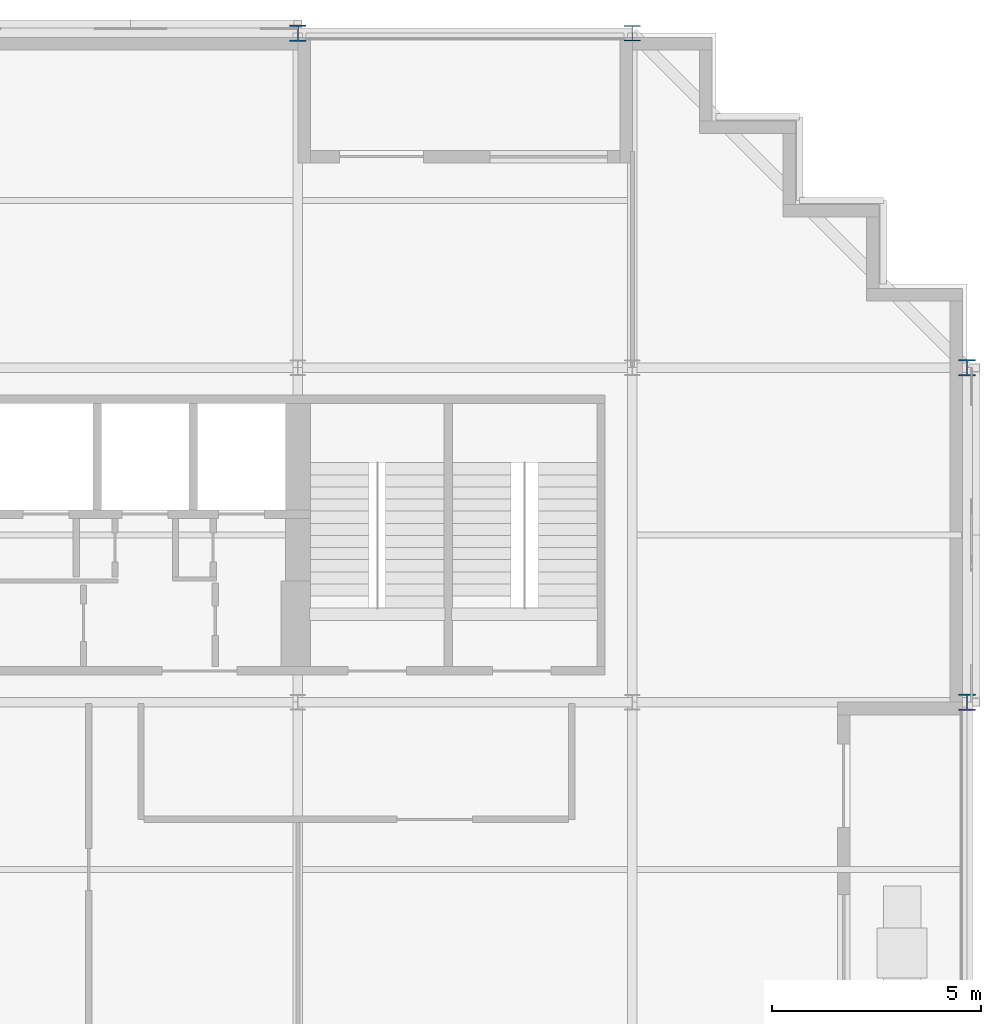
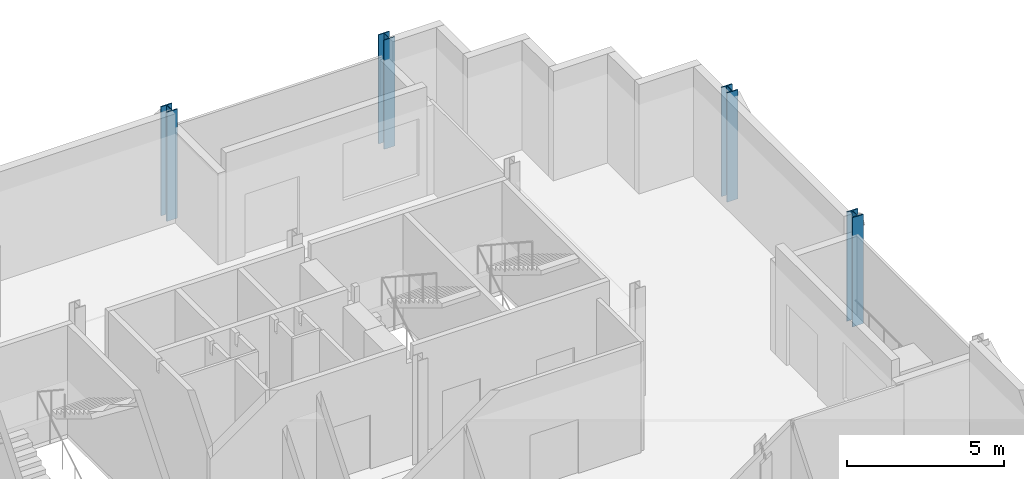
# One storey, part 3 of 15: 4 columns.
"""IFC4 building model written with IfcOpenShell, lengths in metres."""

from ifc_helpers import new_model, si_unit, direction, frame, origin, origin_2d, place, context, subcontext, project, spatial, i_section, extrude, material, material_profile, profile_set, type_object, element, save


model = new_model("IFC4")

# Units and contexts
model_context = context("Model", 3, precision=1e-05, world=origin(), true_north=direction((0.0, 1.0)))
body_context = subcontext(model_context, "Body", "Model", "MODEL_VIEW")
ifc_project = project(units=[si_unit("LENGTHUNIT", "METRE"), si_unit("AREAUNIT", "SQUARE_METRE"), si_unit("VOLUMEUNIT", "CUBIC_METRE"), si_unit("PLANEANGLEUNIT", "RADIAN"), si_unit("MASSUNIT", "GRAM", prefix="KILO")], contexts=[model_context])

# Site, building, storey
site_placement = place(None, origin())
site = spatial("IfcSite", under=ifc_project, at=site_placement, CompositionType="ELEMENT")
building_placement = place(site_placement, origin())
building = spatial("IfcBuilding", under=site, at=building_placement, Name="Immortelle Media Tower", CompositionType="ELEMENT")
storey_placement = place(building_placement, frame((0.0, 0.0, 83.199951171875)))
storey = spatial("IfcBuildingStorey", under=building, at=storey_placement, Name="L15", CompositionType="ELEMENT", Elevation=83.199951171875)

# Columns
ifc_material = material(Name="Steel ASTM A992 Gr 50", Category="steel")
ifc_material_profile_1 = material_profile(ifc_material, i_section(OverallWidth=0.39404296875, OverallDepth=0.3759765625, WebThickness=0.01708984375, FlangeThickness=0.028076171875, at=origin_2d()), Name="W14x145")
ifc_profile_set_1 = profile_set([ifc_material_profile_1], Name="Steel ASTM A992 Gr 50")
column_type_1 = type_object("IfcColumnType", Name="W14x145 column", PredefinedType="COLUMN", material=ifc_profile_set_1)
column_placement = place(storey_placement, frame((40.0, 48.0, 0.0), z_axis=(0.0, 0.0, 1.0), x_axis=(1.0, 0.0, 0.0)))
element("IfcColumn", 1, at=column_placement, inside=storey, type_object=column_type_1, Name="Column 6/G", PredefinedType="COLUMN", context=body_context, shape_type="SweptSolid", body=[
    extrude(i_section(OverallWidth=0.39404296875, OverallDepth=0.3759765625, WebThickness=0.01708984375, FlangeThickness=0.028076171875, at=origin_2d()), origin(), (0.0, 0.0, 1.0), 4.25),
])
ifc_material_profile_2 = material_profile(ifc_material, i_section(OverallWidth=0.40087890625, OverallDepth=0.39892578125, WebThickness=0.02490234375, FlangeThickness=0.0400390625, at=origin_2d()), Name="W14x211")
ifc_profile_set_2 = profile_set([ifc_material_profile_2], Name="Steel ASTM A992 Gr 50")
column_type_2 = type_object("IfcColumnType", Name="W14x211 column", PredefinedType="COLUMN", material=ifc_profile_set_2)
for number, where, z_axis, x_axis, name in (
    (2, (32.0, 48.0, 0.0), (0.0, 0.0, 1.0), (1.0, 0.0, 0.0), "Column 5/G"),
    (3, (48.0, 32.0, 0.0), (0.0, 0.0, 1.0), (1.0, 0.0, 0.0), "Column 7/E"),
    (4, (48.0, 40.0, 0.0), (0.0, 0.0, 1.0), (1.0, 0.0, 0.0), "Column 7/F"),
):
    element("IfcColumn", number, at=place(storey_placement, frame(where, z_axis=z_axis, x_axis=x_axis)), inside=storey, type_object=column_type_2, Name=name, PredefinedType="COLUMN", context=body_context, shape_type="SweptSolid", body=[
        extrude(i_section(OverallWidth=0.40087890625, OverallDepth=0.39892578125, WebThickness=0.02490234375, FlangeThickness=0.0400390625, at=origin_2d()), origin(), (0.0, 0.0, 1.0), 4.25),
    ])

save(model, "model.ifc")
